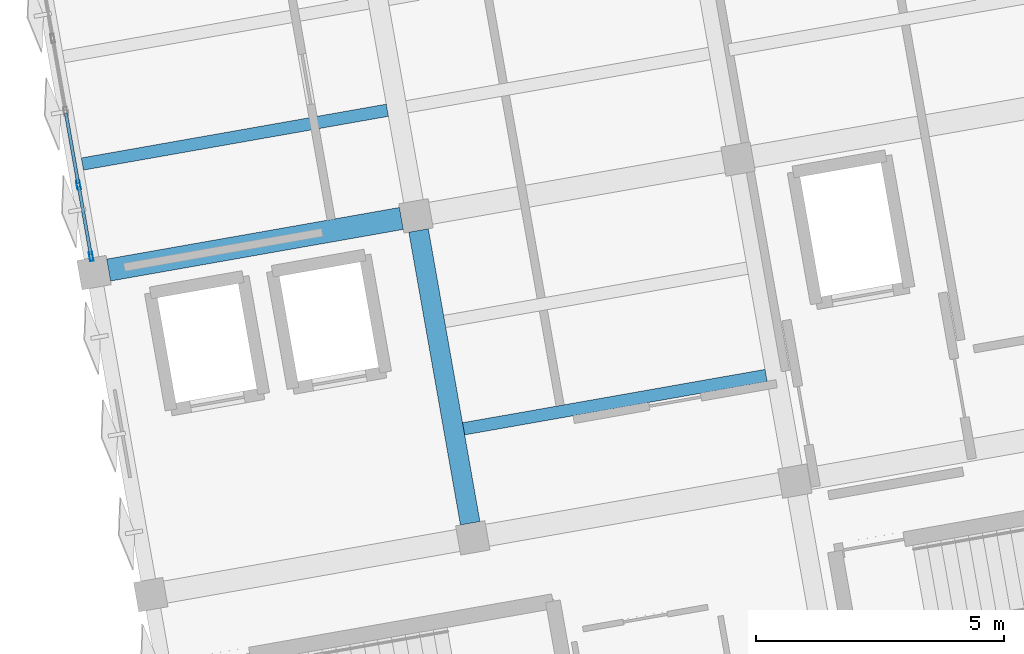
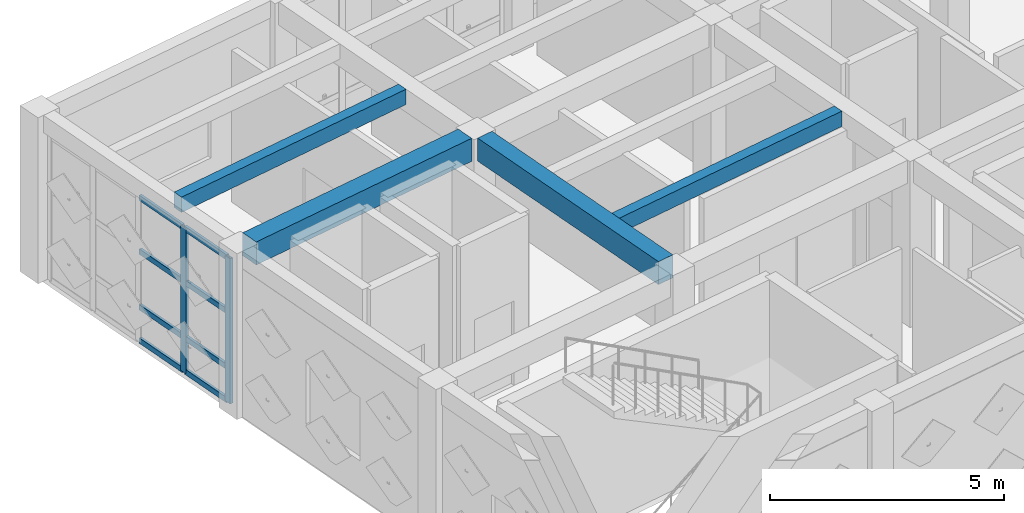
# One storey, part 2 of 36: 10 members, 4 beams, 1 element without a shape of its own.
"""IFC4 building model written with IfcOpenShell, lengths in metres."""

from ifc_helpers import new_model, si_unit, direction, frame, origin, origin_2d, place, context, subcontext, project, spatial, rectangle, hollow_rectangle, extrude, material, layer, layer_set, material_profile, profile_set, type_object, element, aggregate, save


model = new_model("IFC4")

# Units and contexts
model_context = context("Model", 3, precision=1e-05, world=origin(), true_north=direction((0.0, 1.0)))
body_context = subcontext(model_context, "Body", "Model", "MODEL_VIEW")
ifc_project = project(units=[si_unit("LENGTHUNIT", "METRE"), si_unit("AREAUNIT", "SQUARE_METRE"), si_unit("VOLUMEUNIT", "CUBIC_METRE"), si_unit("PLANEANGLEUNIT", "RADIAN"), si_unit("MASSUNIT", "GRAM", prefix="KILO")], contexts=[model_context])

# Site, building, storey
site_placement = place(None, origin())
site = spatial("IfcSite", under=ifc_project, at=site_placement, CompositionType="ELEMENT")
building_placement = place(site_placement, origin())
building = spatial("IfcBuilding", under=site, at=building_placement, Name="Kharisveld Research Institute", CompositionType="ELEMENT")
storey_placement = place(building_placement, frame((0.0, 0.0, 27.60009765625)))
storey = spatial("IfcBuildingStorey", under=building, at=storey_placement, Name="L06", CompositionType="ELEMENT", Elevation=27.60009765625)

# Beams
ifc_material_1 = material(Name="Concrete C40/50", Category="concrete")
ifc_material_profile_1 = material_profile(ifc_material_1, rectangle(XDim=0.39990234375, YDim=0.60009765625, at=origin_2d()))
ifc_profile_set_1 = profile_set([ifc_material_profile_1], Name="Concrete C40/50")
beam_type_1 = type_object("IfcBeamType", Name="BM_RC_400x600", PredefinedType="BEAM", material=ifc_profile_set_1)
beam_1_placement = place(storey_placement, frame((10.50146484375, 42.951171875, 4.02001953125), z_axis=(-0.173622845926, 0.984812219346, 0.0), x_axis=(-0.984812219346, -0.173622845926, 0.0)))
element("IfcBeam", 1, at=beam_1_placement, inside=storey, type_object=beam_type_1, Name="BM:V1:L06:V1_1", PredefinedType="BEAM", context=body_context, shape_type="SweptSolid", body=[
    extrude(rectangle(XDim=0.39990234375, YDim=0.60009765625, at=origin_2d()), origin(), (0.0, 0.0, 1.0), 6.0),
])
ifc_material_2 = material(Name="Concrete C40/50", Category="concrete")
ifc_material_profile_2 = material_profile(ifc_material_2, rectangle(XDim=0.449951171875, YDim=0.60009765625, at=origin_2d()))
ifc_profile_set_2 = profile_set([ifc_material_profile_2], Name="Concrete C40/50")
beam_type_2 = type_object("IfcBeamType", Name="BM_RC_450x600", PredefinedType="BEAM", material=ifc_profile_set_2)
beam_2_placement = place(storey_placement, frame((3.203369140625, 48.0615234375, 4.02001953125), z_axis=(0.984804034035, 0.173669267716, 0.0), x_axis=(-0.173669267716, 0.984804034035, 0.0)))
element("IfcBeam", 2, at=beam_2_placement, inside=storey, type_object=beam_type_2, Name="BM:V1:L06:U0_2", PredefinedType="BEAM", context=body_context, shape_type="SweptSolid", body=[
    extrude(rectangle(XDim=0.449951171875, YDim=0.60009765625, at=origin_2d()), origin(), (0.0, 0.0, 1.0), 5.999755859375),
])

# Curtain wall, members
ifc_material_3 = material(Name="Thermally Broken Aluminium Curtain Wall", Category="aluminium")
ifc_layer = layer(ifc_material_3, 0.159912109375)
ifc_layer_set = layer_set([ifc_layer], Name="CW_SYS_03")
curtain_wall_type = type_object("IfcCurtainWallType", Name="CW_SYS_03", PredefinedType="NOTDEFINED", material=ifc_layer_set)
curtain_wall_placement = place(storey_placement, origin())
curtain_wall = element("IfcCurtainWall", 3, at=curtain_wall_placement, inside=storey, type_object=curtain_wall_type, Name="CW:V1:L06:W2", PredefinedType="NOTDEFINED")
ifc_material_4 = material(Name="Anodised Aluminium AW-6063-T6", Category="aluminium")
ifc_material_profile_3 = material_profile(ifc_material_4, hollow_rectangle(XDim=0.070068359375, YDim=0.179931640625, WallThickness=0.00439453125, at=origin_2d()))
ifc_profile_set_3 = profile_set([ifc_material_profile_3], Name="Anodised Aluminium AW-6063-T6")
member_type_1 = type_object("IfcMemberType", Name="CW_MUL_180", PredefinedType="MULLION", material=ifc_profile_set_3)
member_1_placement = place(storey_placement, frame((2.8505859375, 48.33447265625, 0.0), z_axis=(0.0, 0.0, 1.0), x_axis=(-0.98480774719, -0.173648210685, 0.0)))
member_1 = element("IfcMember", 4, at=member_1_placement, type_object=member_type_1, Name="CW-03 mullion 1", PredefinedType="MULLION", context=body_context, shape_type="SweptSolid", body=[
    extrude(hollow_rectangle(XDim=0.070068359375, YDim=0.179931640625, WallThickness=0.00439453125, at=origin_2d()), origin(), (0.0, 0.0, 1.0), 3.77978515625),
])
member_2_placement = place(storey_placement, frame((2.595703125, 49.779541015625, 0.0), z_axis=(0.0, 0.0, 1.0), x_axis=(-0.98480774719, -0.173648210685, 0.0)))
member_2 = element("IfcMember", 5, at=member_2_placement, type_object=member_type_1, Name="CW-03 mullion 2", PredefinedType="MULLION", context=body_context, shape_type="SweptSolid", body=[
    extrude(hollow_rectangle(XDim=0.070068359375, YDim=0.179931640625, WallThickness=0.00439453125, at=origin_2d()), origin(), (0.0, 0.0, 1.0), 3.77978515625),
])
ifc_material_5 = material(Name="Anodised Aluminium AW-6063-T6", Category="aluminium")
ifc_material_profile_4 = material_profile(ifc_material_5, hollow_rectangle(XDim=0.06494140625, YDim=0.139892578125, WallThickness=0.00390625, at=origin_2d()))
ifc_profile_set_4 = profile_set([ifc_material_profile_4], Name="Anodised Aluminium AW-6063-T6")
member_type_2 = type_object("IfcMemberType", Name="CW_TRN_140", PredefinedType="USERDEFINED", material=ifc_profile_set_4)
member_3_placement = place(storey_placement, frame((2.844482421875, 48.368896484375, 0.032470703125), z_axis=(-0.173655770047, 0.984806414241, 0.0), x_axis=(-0.984806414241, -0.173655770047, 0.0)))
member_3 = element("IfcMember", 6, at=member_3_placement, type_object=member_type_2, Name="CW-03 transom 1.1", ObjectType="TRANSOM", PredefinedType="USERDEFINED", context=body_context, shape_type="SweptSolid", body=[
    extrude(hollow_rectangle(XDim=0.06494140625, YDim=0.139892578125, WallThickness=0.00390625, at=origin_2d()), origin(), (0.0, 0.0, 1.0), 1.3974609375),
])
member_4_placement = place(storey_placement, frame((2.844482421875, 48.368896484375, 0.89990234375), z_axis=(-0.173655770047, 0.984806414241, 0.0), x_axis=(-0.984806414241, -0.173655770047, 0.0)))
member_4 = element("IfcMember", 7, at=member_4_placement, type_object=member_type_2, Name="CW-03 transom 1.2", ObjectType="TRANSOM", PredefinedType="USERDEFINED", context=body_context, shape_type="SweptSolid", body=[
    extrude(hollow_rectangle(XDim=0.06494140625, YDim=0.139892578125, WallThickness=0.00390625, at=origin_2d()), origin(), (0.0, 0.0, 1.0), 1.3974609375),
])
member_5_placement = place(storey_placement, frame((2.844482421875, 48.368896484375, 2.349853515625), z_axis=(-0.173655770047, 0.984806414241, 0.0), x_axis=(-0.984806414241, -0.173655770047, 0.0)))
member_5 = element("IfcMember", 8, at=member_5_placement, type_object=member_type_2, Name="CW-03 transom 1.3", ObjectType="TRANSOM", PredefinedType="USERDEFINED", context=body_context, shape_type="SweptSolid", body=[
    extrude(hollow_rectangle(XDim=0.06494140625, YDim=0.139892578125, WallThickness=0.00390625, at=origin_2d()), origin(), (0.0, 0.0, 1.0), 1.3974609375),
])
member_6_placement = place(storey_placement, frame((2.844482421875, 48.368896484375, 3.747314453125), z_axis=(-0.173655770047, 0.984806414241, 0.0), x_axis=(-0.984806414241, -0.173655770047, 0.0)))
member_6 = element("IfcMember", 9, at=member_6_placement, type_object=member_type_2, Name="CW-03 transom 1.4", ObjectType="TRANSOM", PredefinedType="USERDEFINED", context=body_context, shape_type="SweptSolid", body=[
    extrude(hollow_rectangle(XDim=0.06494140625, YDim=0.139892578125, WallThickness=0.00390625, at=origin_2d()), origin(), (0.0, 0.0, 1.0), 1.3974609375),
])
member_7_placement = place(storey_placement, frame((2.589599609375, 49.814208984375, 0.032470703125), z_axis=(-0.173678378913, 0.98480242724, 0.0), x_axis=(-0.98480242724, -0.173678378913, 0.0)))
member_7 = element("IfcMember", 10, at=member_7_placement, type_object=member_type_2, Name="CW-03 transom 2.1", ObjectType="TRANSOM", PredefinedType="USERDEFINED", context=body_context, shape_type="SweptSolid", body=[
    extrude(hollow_rectangle(XDim=0.06494140625, YDim=0.139892578125, WallThickness=0.00390625, at=origin_2d()), origin(), (0.0, 0.0, 1.0), 1.432373046875),
])
member_8_placement = place(storey_placement, frame((2.589599609375, 49.814208984375, 0.89990234375), z_axis=(-0.173678378913, 0.98480242724, 0.0), x_axis=(-0.98480242724, -0.173678378913, 0.0)))
member_8 = element("IfcMember", 11, at=member_8_placement, type_object=member_type_2, Name="CW-03 transom 2.2", ObjectType="TRANSOM", PredefinedType="USERDEFINED", context=body_context, shape_type="SweptSolid", body=[
    extrude(hollow_rectangle(XDim=0.06494140625, YDim=0.139892578125, WallThickness=0.00390625, at=origin_2d()), origin(), (0.0, 0.0, 1.0), 1.432373046875),
])
member_9_placement = place(storey_placement, frame((2.589599609375, 49.814208984375, 2.349853515625), z_axis=(-0.173678378913, 0.98480242724, 0.0), x_axis=(-0.98480242724, -0.173678378913, 0.0)))
member_9 = element("IfcMember", 12, at=member_9_placement, type_object=member_type_2, Name="CW-03 transom 2.3", ObjectType="TRANSOM", PredefinedType="USERDEFINED", context=body_context, shape_type="SweptSolid", body=[
    extrude(hollow_rectangle(XDim=0.06494140625, YDim=0.139892578125, WallThickness=0.00390625, at=origin_2d()), origin(), (0.0, 0.0, 1.0), 1.432373046875),
])
member_10_placement = place(storey_placement, frame((2.589599609375, 49.814208984375, 3.747314453125), z_axis=(-0.173678378913, 0.98480242724, 0.0), x_axis=(-0.98480242724, -0.173678378913, 0.0)))
member_10 = element("IfcMember", 13, at=member_10_placement, type_object=member_type_2, Name="CW-03 transom 2.4", ObjectType="TRANSOM", PredefinedType="USERDEFINED", context=body_context, shape_type="SweptSolid", body=[
    extrude(hollow_rectangle(XDim=0.06494140625, YDim=0.139892578125, WallThickness=0.00390625, at=origin_2d()), origin(), (0.0, 0.0, 1.0), 1.432373046875),
])
aggregate(curtain_wall, [member_1, member_2, member_3, member_4, member_5, member_6, member_7, member_8, member_9, member_10])

# Beams
ifc_material_6 = material(Name="Concrete C40/50", Category="concrete")
ifc_material_profile_5 = material_profile(ifc_material_6, rectangle(XDim=0.25, YDim=0.39990234375, at=origin_2d()))
ifc_profile_set_5 = profile_set([ifc_material_profile_5], Name="Concrete C40/50")
beam_type_3 = type_object("IfcBeamType", Name="WB_RC_250x400", PredefinedType="JOIST", material=ifc_profile_set_5)
beam_3_placement = place(storey_placement, frame((2.673583984375, 50.2021484375, 4.119873046875), z_axis=(0.984810288083, 0.17363379995, 0.0), x_axis=(-0.17363379995, 0.984810288083, 0.0)))
element("IfcBeam", 14, at=beam_3_placement, inside=storey, type_object=beam_type_3, Name="BM:V1:L06:J_0_2_R1", PredefinedType="JOIST", context=body_context, shape_type="SweptSolid", body=[
    extrude(rectangle(XDim=0.25, YDim=0.39990234375, at=origin_2d()), origin(), (0.0, 0.0, 1.0), 6.25),
])
beam_4_placement = place(storey_placement, frame((10.36865234375, 44.857177734375, 4.119873046875), z_axis=(0.984806146634, 0.173657287643, 0.0), x_axis=(-0.173657287643, 0.984806146634, 0.0)))
element("IfcBeam", 15, at=beam_4_placement, inside=storey, type_object=beam_type_3, Name="BM:V1:L06:J_1_1_R1", PredefinedType="JOIST", context=body_context, shape_type="SweptSolid", body=[
    extrude(rectangle(XDim=0.25, YDim=0.39990234375, at=origin_2d()), origin(), (0.0, 0.0, 1.0), 6.199951171875),
])

save(model, "model.ifc")
